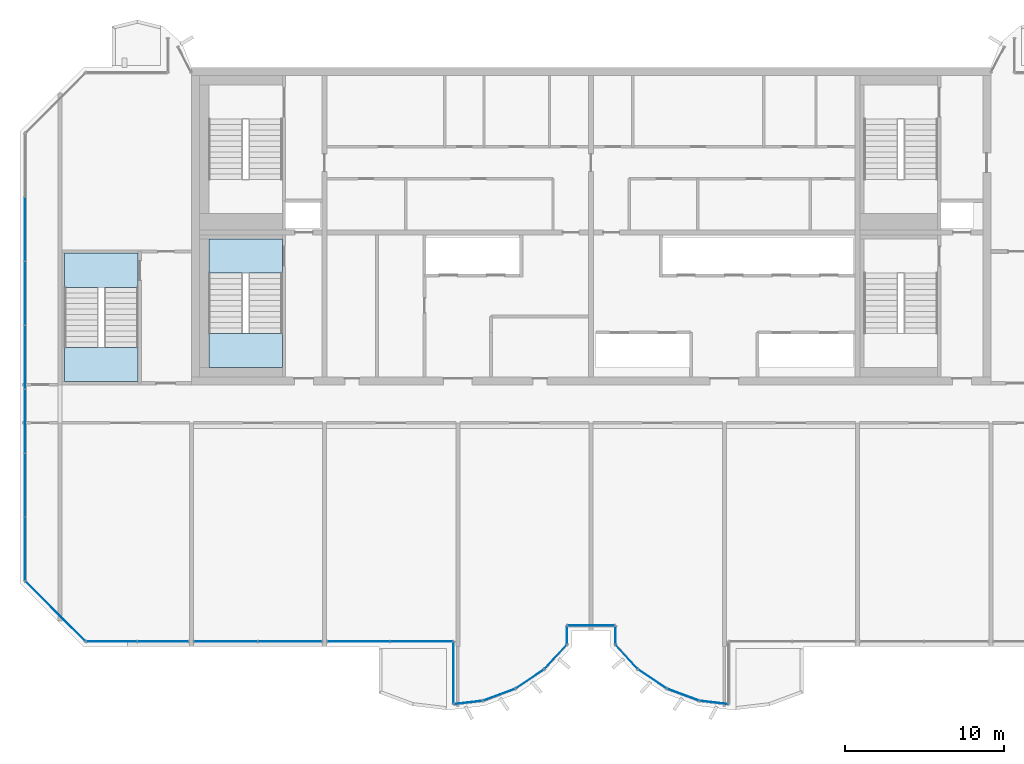
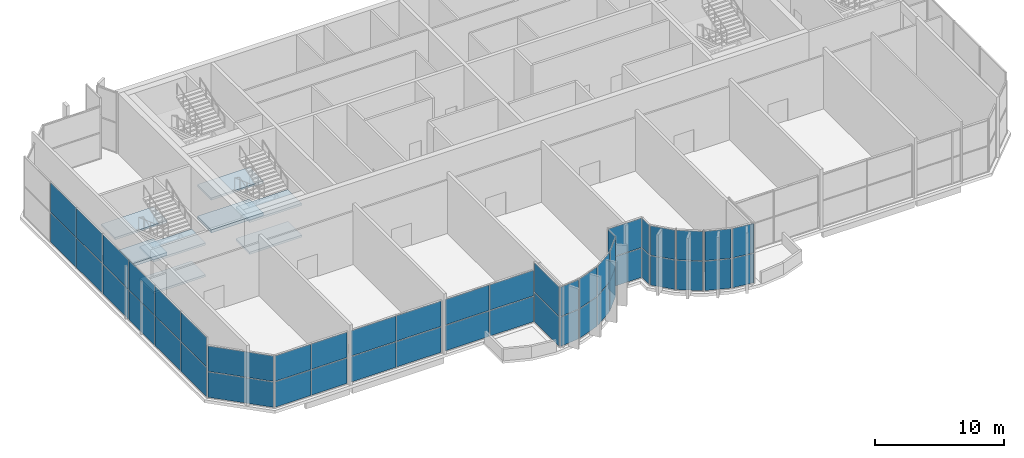
# One storey, part 10 of 17: 50 plates, 8 slabs, 19 elements without a shape of their own.
"""IFC4 building model written with IfcOpenShell, lengths in metres."""

from ifc_helpers import new_model, si_unit, direction, frame, origin, origin_2d, place, context, subcontext, project, spatial, polyline, rectangle, outline, extrude, source, transform, mapped, material, layer, layer_set, type_object, element, aggregate, save


model = new_model("IFC4")

# Units and contexts
model_context = context("Model", 3, precision=1e-05, world=origin(), true_north=direction((0.0, 1.0)))
body_context = subcontext(model_context, "Body", "Model", "MODEL_VIEW")
ifc_project = project(units=[si_unit("LENGTHUNIT", "METRE"), si_unit("AREAUNIT", "SQUARE_METRE"), si_unit("VOLUMEUNIT", "CUBIC_METRE"), si_unit("PLANEANGLEUNIT", "RADIAN"), si_unit("MASSUNIT", "GRAM", prefix="KILO")], contexts=[model_context])

# Site, building, storey
site_placement = place(None, origin())
site = spatial("IfcSite", under=ifc_project, at=site_placement, CompositionType="ELEMENT")
building_placement = place(site_placement, origin())
building = spatial("IfcBuilding", under=site, at=building_placement, Name="Vanashikhar Sky Hotel", CompositionType="ELEMENT")
storey_placement = place(building_placement, frame((0.0, 0.0, 323.699951171875)))
storey = spatial("IfcBuildingStorey", under=building, at=storey_placement, Name="L77", CompositionType="ELEMENT", Elevation=323.699951171875)

# Curtain wall, plates
ifc_material_1 = material(Name="Glass", Category="glass")
curtain_wall_type = type_object("IfcCurtainWallType", Name="Sky restaurant glazing", PredefinedType="NOTDEFINED", material=ifc_material_1)
curtain_wall_1_placement = place(storey_placement, origin())
curtain_wall_1 = element("IfcCurtainWall", 1, at=curtain_wall_1_placement, inside=storey, type_object=curtain_wall_type, Name="Sky restaurant glazing", PredefinedType="NOTDEFINED")
ifc_layer_1 = layer(ifc_material_1, 0.028076171875)
ifc_layer_set_1 = layer_set([ifc_layer_1], Name="Sky restaurant glazing panel")
plate_type = type_object("IfcPlateType", Name="Sky restaurant glazing panel", PredefinedType="CURTAIN_PANEL", material=ifc_layer_set_1)
shared_shape_1 = source(origin(), body_context, "Body", "SweptSolid", [
    extrude(rectangle(XDim=3.18017578125, YDim=0.028076171875, at=origin_2d()), origin(), (0.0, 0.0, 1.0), 2.39501953125),
])
plate_1_placement = place(storey_placement, frame((20.184814453125, 5.824951171875, 0.06005859375), z_axis=(0.0, 0.0, 1.0), x_axis=(1.0, 0.0, 0.0)))
plate_1 = element("IfcPlate", 2, at=plate_1_placement, type_object=plate_type, Name="CW-5 panel 1.1", PredefinedType="CURTAIN_PANEL", context=body_context, shape_type="MappedRepresentation", body=[
    mapped(shared_shape_1, transform((0.0, 0.0, 0.0), scale=1.0)),
])
plate_2_placement = place(storey_placement, frame((20.184814453125, 5.824951171875, 2.51513671875), z_axis=(0.0, 0.0, 1.0), x_axis=(1.0, 0.0, 0.0)))
plate_2 = element("IfcPlate", 3, at=plate_2_placement, type_object=plate_type, Name="CW-5 panel 1.2", PredefinedType="CURTAIN_PANEL", context=body_context, shape_type="MappedRepresentation", body=[
    mapped(shared_shape_1, transform((0.0, 0.0, 0.0), scale=1.0)),
])
plate_3_placement = place(storey_placement, frame((23.4248046875, 5.824951171875, 0.06005859375), z_axis=(0.0, 0.0, 1.0), x_axis=(1.0, 0.0, 0.0)))
plate_3 = element("IfcPlate", 4, at=plate_3_placement, type_object=plate_type, Name="CW-5 panel 2.1", PredefinedType="CURTAIN_PANEL", context=body_context, shape_type="MappedRepresentation", body=[
    mapped(shared_shape_1, transform((0.0, 0.0, 0.0), scale=1.0)),
])
plate_4_placement = place(storey_placement, frame((23.4248046875, 5.824951171875, 2.51513671875), z_axis=(0.0, 0.0, 1.0), x_axis=(1.0, 0.0, 0.0)))
plate_4 = element("IfcPlate", 5, at=plate_4_placement, type_object=plate_type, Name="CW-5 panel 2.2", PredefinedType="CURTAIN_PANEL", context=body_context, shape_type="MappedRepresentation", body=[
    mapped(shared_shape_1, transform((0.0, 0.0, 0.0), scale=1.0)),
])
aggregate(curtain_wall_1, [plate_1, plate_2, plate_3, plate_4])

curtain_wall_2_placement = place(storey_placement, origin())
curtain_wall_2 = element("IfcCurtainWall", 6, at=curtain_wall_2_placement, inside=storey, type_object=curtain_wall_type, Name="Sky restaurant glazing", PredefinedType="NOTDEFINED")
shared_shape_2 = source(origin(), body_context, "Body", "SweptSolid", [
    extrude(rectangle(XDim=3.985107421875, YDim=0.028076171875, at=origin_2d()), origin(), (0.0, 0.0, 1.0), 2.39501953125),
])
plate_5_placement = place(storey_placement, frame((27.37744140625, 5.824951171875, 0.06005859375), z_axis=(0.0, 0.0, 1.0), x_axis=(1.0, 0.0, 0.0)))
plate_5 = element("IfcPlate", 7, at=plate_5_placement, type_object=plate_type, Name="CW-5 panel 1.1", PredefinedType="CURTAIN_PANEL", context=body_context, shape_type="MappedRepresentation", body=[
    mapped(shared_shape_2, transform((0.0, 0.0, 0.0), scale=1.0)),
])
plate_6_placement = place(storey_placement, frame((27.37744140625, 5.824951171875, 2.51513671875), z_axis=(0.0, 0.0, 1.0), x_axis=(1.0, 0.0, 0.0)))
plate_6 = element("IfcPlate", 8, at=plate_6_placement, type_object=plate_type, Name="CW-5 panel 1.2", PredefinedType="CURTAIN_PANEL", context=body_context, shape_type="MappedRepresentation", body=[
    mapped(shared_shape_2, transform((0.0, 0.0, 0.0), scale=1.0)),
])
plate_7_placement = place(storey_placement, frame((31.422607421875, 5.824951171875, 0.06005859375), z_axis=(0.0, 0.0, 1.0), x_axis=(1.0, 0.0, 0.0)))
plate_7 = element("IfcPlate", 9, at=plate_7_placement, type_object=plate_type, Name="CW-5 panel 2.1", PredefinedType="CURTAIN_PANEL", context=body_context, shape_type="MappedRepresentation", body=[
    mapped(shared_shape_2, transform((0.0, 0.0, 0.0), scale=1.0)),
])
plate_8_placement = place(storey_placement, frame((31.422607421875, 5.824951171875, 2.51513671875), z_axis=(0.0, 0.0, 1.0), x_axis=(1.0, 0.0, 0.0)))
plate_8 = element("IfcPlate", 10, at=plate_8_placement, type_object=plate_type, Name="CW-5 panel 2.2", PredefinedType="CURTAIN_PANEL", context=body_context, shape_type="MappedRepresentation", body=[
    mapped(shared_shape_2, transform((0.0, 0.0, 0.0), scale=1.0)),
])
aggregate(curtain_wall_2, [plate_5, plate_6, plate_7, plate_8])

curtain_wall_3_placement = place(storey_placement, origin())
curtain_wall_3 = element("IfcCurtainWall", 11, at=curtain_wall_3_placement, inside=storey, type_object=curtain_wall_type, Name="Sky restaurant glazing", PredefinedType="NOTDEFINED")
shared_shape_3 = source(origin(), body_context, "Body", "SweptSolid", [
    extrude(rectangle(XDim=3.909912109375, YDim=0.028076171875, at=origin_2d()), origin(), (0.0, 0.0, 1.0), 2.39501953125),
])
plate_9_placement = place(storey_placement, frame((35.739990234375, 5.824951171875, 0.06005859375), z_axis=(0.0, 0.0, 1.0), x_axis=(1.0, 0.0, 0.0)))
plate_9 = element("IfcPlate", 12, at=plate_9_placement, type_object=plate_type, Name="CW-5 panel 1.1", PredefinedType="CURTAIN_PANEL", context=body_context, shape_type="MappedRepresentation", body=[
    mapped(shared_shape_3, transform((0.0, 0.0, 0.0), scale=1.0)),
])
plate_10_placement = place(storey_placement, frame((35.739990234375, 5.824951171875, 2.51513671875), z_axis=(0.0, 0.0, 1.0), x_axis=(1.0, 0.0, 0.0)))
plate_10 = element("IfcPlate", 13, at=plate_10_placement, type_object=plate_type, Name="CW-5 panel 1.2", PredefinedType="CURTAIN_PANEL", context=body_context, shape_type="MappedRepresentation", body=[
    mapped(shared_shape_3, transform((0.0, 0.0, 0.0), scale=1.0)),
])
plate_11_placement = place(storey_placement, frame((39.7099609375, 5.824951171875, 0.06005859375), z_axis=(0.0, 0.0, 1.0), x_axis=(1.0, 0.0, 0.0)))
plate_11 = element("IfcPlate", 14, at=plate_11_placement, type_object=plate_type, Name="CW-5 panel 2.1", PredefinedType="CURTAIN_PANEL", context=body_context, shape_type="MappedRepresentation", body=[
    mapped(shared_shape_3, transform((0.0, 0.0, 0.0), scale=1.0)),
])
plate_12_placement = place(storey_placement, frame((39.7099609375, 5.824951171875, 2.51513671875), z_axis=(0.0, 0.0, 1.0), x_axis=(1.0, 0.0, 0.0)))
plate_12 = element("IfcPlate", 15, at=plate_12_placement, type_object=plate_type, Name="CW-5 panel 2.2", PredefinedType="CURTAIN_PANEL", context=body_context, shape_type="MappedRepresentation", body=[
    mapped(shared_shape_3, transform((0.0, 0.0, 0.0), scale=1.0)),
])
aggregate(curtain_wall_3, [plate_9, plate_10, plate_11, plate_12])

curtain_wall_4_placement = place(storey_placement, origin())
curtain_wall_4 = element("IfcCurtainWall", 16, at=curtain_wall_4_placement, inside=storey, type_object=curtain_wall_type, Name="Sky restaurant glazing", PredefinedType="NOTDEFINED")
shared_shape_4 = source(origin(), body_context, "Body", "SweptSolid", [
    extrude(rectangle(XDim=3.839111328125, YDim=0.028076171875, at=origin_2d()), origin(), (0.0, 0.0, 1.0), 2.77001953125),
])
plate_13_placement = place(storey_placement, frame((41.72509765625, 3.845458984375, 0.06005859375), z_axis=(0.0, 0.0, 1.0), x_axis=(0.0, -1.0, 0.0)))
plate_13 = element("IfcPlate", 17, at=plate_13_placement, type_object=plate_type, Name="CW-5 panel 1.1", PredefinedType="CURTAIN_PANEL", context=body_context, shape_type="MappedRepresentation", body=[
    mapped(shared_shape_4, transform((0.0, 0.0, 0.0), scale=1.0)),
])
plate_14_placement = place(storey_placement, frame((41.72509765625, 3.845458984375, 2.89013671875), z_axis=(0.0, 0.0, 1.0), x_axis=(0.0, -1.0, 0.0)))
plate_14 = element("IfcPlate", 18, at=plate_14_placement, type_object=plate_type, Name="CW-5 panel 1.2", PredefinedType="CURTAIN_PANEL", context=body_context, shape_type="MappedRepresentation", body=[
    mapped(shared_shape_4, transform((0.0, 0.0, 0.0), scale=1.0)),
])
aggregate(curtain_wall_4, [plate_13, plate_14])

curtain_wall_5_placement = place(storey_placement, origin())
curtain_wall_5 = element("IfcCurtainWall", 19, at=curtain_wall_5_placement, inside=storey, type_object=curtain_wall_type, Name="Sky restaurant glazing", PredefinedType="NOTDEFINED")
shared_shape_5 = source(origin(), body_context, "Body", "SweptSolid", [
    extrude(rectangle(XDim=1.745361328125, YDim=0.028076171875, at=origin_2d()), origin(), (0.0, 0.0, 1.0), 2.77001953125),
])
plate_15_placement = place(storey_placement, frame((42.651123046875, 1.97607421875, 0.06005859375), z_axis=(0.0, 0.0, 1.0), x_axis=(0.993000854942, 0.11810716356, 0.0)))
plate_15 = element("IfcPlate", 20, at=plate_15_placement, type_object=plate_type, Name="CW-5 panel 1.1", PredefinedType="CURTAIN_PANEL", context=body_context, shape_type="MappedRepresentation", body=[
    mapped(shared_shape_5, transform((0.0, 0.0, 0.0), scale=1.0)),
])
plate_16_placement = place(storey_placement, frame((42.651123046875, 1.97607421875, 2.89013671875), z_axis=(0.0, 0.0, 1.0), x_axis=(0.993000854942, 0.11810716356, 0.0)))
plate_16 = element("IfcPlate", 21, at=plate_16_placement, type_object=plate_type, Name="CW-5 panel 1.2", PredefinedType="CURTAIN_PANEL", context=body_context, shape_type="MappedRepresentation", body=[
    mapped(shared_shape_5, transform((0.0, 0.0, 0.0), scale=1.0)),
])
aggregate(curtain_wall_5, [plate_15, plate_16])

curtain_wall_6_placement = place(storey_placement, origin())
curtain_wall_6 = element("IfcCurtainWall", 22, at=curtain_wall_6_placement, inside=storey, type_object=curtain_wall_type, Name="Sky restaurant glazing", PredefinedType="NOTDEFINED")
plate_17_placement = place(storey_placement, frame((58.14892578125, 1.97607421875, 0.06005859375), z_axis=(0.0, 0.0, 1.0), x_axis=(0.993000854942, -0.11810716356, 0.0)))
plate_17 = element("IfcPlate", 23, at=plate_17_placement, type_object=plate_type, Name="CW-5 panel 1.1", PredefinedType="CURTAIN_PANEL", context=body_context, shape_type="MappedRepresentation", body=[
    mapped(shared_shape_5, transform((0.0, 0.0, 0.0), scale=1.0)),
])
plate_18_placement = place(storey_placement, frame((58.14892578125, 1.97607421875, 2.89013671875), z_axis=(0.0, 0.0, 1.0), x_axis=(0.993000854942, -0.11810716356, 0.0)))
plate_18 = element("IfcPlate", 24, at=plate_18_placement, type_object=plate_type, Name="CW-5 panel 1.2", PredefinedType="CURTAIN_PANEL", context=body_context, shape_type="MappedRepresentation", body=[
    mapped(shared_shape_5, transform((0.0, 0.0, 0.0), scale=1.0)),
])
aggregate(curtain_wall_6, [plate_17, plate_18])

curtain_wall_7_placement = place(storey_placement, origin())
curtain_wall_7 = element("IfcCurtainWall", 25, at=curtain_wall_7_placement, inside=storey, type_object=curtain_wall_type, Name="Sky restaurant glazing", PredefinedType="NOTDEFINED")
shared_shape_6 = source(origin(), body_context, "Body", "SweptSolid", [
    extrude(rectangle(XDim=2.073486328125, YDim=0.028076171875, at=origin_2d()), origin(), (0.0, 0.0, 1.0), 2.77001953125),
])
plate_19_placement = place(storey_placement, frame((44.60546875, 2.4677734375, 0.06005859375), z_axis=(0.0, 0.0, 1.0), x_axis=(0.937545115075, 0.347863704919, 0.0)))
plate_19 = element("IfcPlate", 26, at=plate_19_placement, type_object=plate_type, Name="CW-5 panel 1.1", PredefinedType="CURTAIN_PANEL", context=body_context, shape_type="MappedRepresentation", body=[
    mapped(shared_shape_6, transform((0.0, 0.0, 0.0), scale=1.0)),
])
plate_20_placement = place(storey_placement, frame((44.60546875, 2.4677734375, 2.89013671875), z_axis=(0.0, 0.0, 1.0), x_axis=(0.937545115075, 0.347863704919, 0.0)))
plate_20 = element("IfcPlate", 27, at=plate_20_placement, type_object=plate_type, Name="CW-5 panel 1.2", PredefinedType="CURTAIN_PANEL", context=body_context, shape_type="MappedRepresentation", body=[
    mapped(shared_shape_6, transform((0.0, 0.0, 0.0), scale=1.0)),
])
aggregate(curtain_wall_7, [plate_19, plate_20])

curtain_wall_8_placement = place(storey_placement, origin())
curtain_wall_8 = element("IfcCurtainWall", 28, at=curtain_wall_8_placement, inside=storey, type_object=curtain_wall_type, Name="Sky restaurant glazing", PredefinedType="NOTDEFINED")
plate_21_placement = place(storey_placement, frame((46.54345703125, 3.461669921875, 0.06005859375), z_axis=(0.0, 0.0, 1.0), x_axis=(0.829601554728, 0.558355854624, 0.0)))
plate_21 = element("IfcPlate", 29, at=plate_21_placement, type_object=plate_type, Name="CW-5 panel 1.1", PredefinedType="CURTAIN_PANEL", context=body_context, shape_type="MappedRepresentation", body=[
    mapped(shared_shape_6, transform((0.0, 0.0, 0.0), scale=1.0)),
])
plate_22_placement = place(storey_placement, frame((46.54345703125, 3.461669921875, 2.89013671875), z_axis=(0.0, 0.0, 1.0), x_axis=(0.829601554728, 0.558355854624, 0.0)))
plate_22 = element("IfcPlate", 30, at=plate_22_placement, type_object=plate_type, Name="CW-5 panel 1.2", PredefinedType="CURTAIN_PANEL", context=body_context, shape_type="MappedRepresentation", body=[
    mapped(shared_shape_6, transform((0.0, 0.0, 0.0), scale=1.0)),
])
aggregate(curtain_wall_8, [plate_21, plate_22])

curtain_wall_9_placement = place(storey_placement, origin())
curtain_wall_9 = element("IfcCurtainWall", 31, at=curtain_wall_9_placement, inside=storey, type_object=curtain_wall_type, Name="Sky restaurant glazing", PredefinedType="NOTDEFINED")
plate_23_placement = place(storey_placement, frame((54.256591796875, 3.461669921875, 0.06005859375), z_axis=(0.0, 0.0, 1.0), x_axis=(0.829601554728, -0.558355854624, 0.0)))
plate_23 = element("IfcPlate", 32, at=plate_23_placement, type_object=plate_type, Name="CW-5 panel 1.1", PredefinedType="CURTAIN_PANEL", context=body_context, shape_type="MappedRepresentation", body=[
    mapped(shared_shape_6, transform((0.0, 0.0, 0.0), scale=1.0)),
])
plate_24_placement = place(storey_placement, frame((54.256591796875, 3.461669921875, 2.89013671875), z_axis=(0.0, 0.0, 1.0), x_axis=(0.829601554728, -0.558355854624, 0.0)))
plate_24 = element("IfcPlate", 33, at=plate_24_placement, type_object=plate_type, Name="CW-5 panel 1.2", PredefinedType="CURTAIN_PANEL", context=body_context, shape_type="MappedRepresentation", body=[
    mapped(shared_shape_6, transform((0.0, 0.0, 0.0), scale=1.0)),
])
aggregate(curtain_wall_9, [plate_23, plate_24])

curtain_wall_10_placement = place(storey_placement, origin())
curtain_wall_10 = element("IfcCurtainWall", 34, at=curtain_wall_10_placement, inside=storey, type_object=curtain_wall_type, Name="Sky restaurant glazing", PredefinedType="NOTDEFINED")
plate_25_placement = place(storey_placement, frame((56.194580078125, 2.4677734375, 0.06005859375), z_axis=(0.0, 0.0, 1.0), x_axis=(0.937545115075, -0.347863704919, 0.0)))
plate_25 = element("IfcPlate", 35, at=plate_25_placement, type_object=plate_type, Name="CW-5 panel 1.1", PredefinedType="CURTAIN_PANEL", context=body_context, shape_type="MappedRepresentation", body=[
    mapped(shared_shape_6, transform((0.0, 0.0, 0.0), scale=1.0)),
])
plate_26_placement = place(storey_placement, frame((56.194580078125, 2.4677734375, 2.89013671875), z_axis=(0.0, 0.0, 1.0), x_axis=(0.937545115075, -0.347863704919, 0.0)))
plate_26 = element("IfcPlate", 36, at=plate_26_placement, type_object=plate_type, Name="CW-5 panel 1.2", PredefinedType="CURTAIN_PANEL", context=body_context, shape_type="MappedRepresentation", body=[
    mapped(shared_shape_6, transform((0.0, 0.0, 0.0), scale=1.0)),
])
aggregate(curtain_wall_10, [plate_25, plate_26])

curtain_wall_11_placement = place(storey_placement, origin())
curtain_wall_11 = element("IfcCurtainWall", 37, at=curtain_wall_11_placement, inside=storey, type_object=curtain_wall_type, Name="Sky restaurant glazing", PredefinedType="NOTDEFINED")
shared_shape_7 = source(origin(), body_context, "Body", "SweptSolid", [
    extrude(rectangle(XDim=1.98486328125, YDim=0.028076171875, at=origin_2d()), origin(), (0.0, 0.0, 1.0), 2.77001953125),
])
plate_27_placement = place(storey_placement, frame((48.164306640625, 4.85009765625, 0.06005859375), z_axis=(0.0, 0.0, 1.0), x_axis=(0.675378191427, 0.737471557787, 0.0)))
plate_27 = element("IfcPlate", 38, at=plate_27_placement, type_object=plate_type, Name="CW-5 panel 1.1", PredefinedType="CURTAIN_PANEL", context=body_context, shape_type="MappedRepresentation", body=[
    mapped(shared_shape_7, transform((0.0, 0.0, 0.0), scale=1.0)),
])
plate_28_placement = place(storey_placement, frame((48.164306640625, 4.85009765625, 2.89013671875), z_axis=(0.0, 0.0, 1.0), x_axis=(0.675378191427, 0.737471557787, 0.0)))
plate_28 = element("IfcPlate", 39, at=plate_28_placement, type_object=plate_type, Name="CW-5 panel 1.2", PredefinedType="CURTAIN_PANEL", context=body_context, shape_type="MappedRepresentation", body=[
    mapped(shared_shape_7, transform((0.0, 0.0, 0.0), scale=1.0)),
])
aggregate(curtain_wall_11, [plate_27, plate_28])

curtain_wall_12_placement = place(storey_placement, origin())
curtain_wall_12 = element("IfcCurtainWall", 40, at=curtain_wall_12_placement, inside=storey, type_object=curtain_wall_type, Name="Sky restaurant glazing", PredefinedType="NOTDEFINED")
plate_29_placement = place(storey_placement, frame((52.6357421875, 4.85009765625, 0.06005859375), z_axis=(0.0, 0.0, 1.0), x_axis=(0.675378191427, -0.737471557787, 0.0)))
plate_29 = element("IfcPlate", 41, at=plate_29_placement, type_object=plate_type, Name="CW-5 panel 1.1", PredefinedType="CURTAIN_PANEL", context=body_context, shape_type="MappedRepresentation", body=[
    mapped(shared_shape_7, transform((0.0, 0.0, 0.0), scale=1.0)),
])
plate_30_placement = place(storey_placement, frame((52.6357421875, 4.85009765625, 2.89013671875), z_axis=(0.0, 0.0, 1.0), x_axis=(0.675378191427, -0.737471557787, 0.0)))
plate_30 = element("IfcPlate", 42, at=plate_30_placement, type_object=plate_type, Name="CW-5 panel 1.2", PredefinedType="CURTAIN_PANEL", context=body_context, shape_type="MappedRepresentation", body=[
    mapped(shared_shape_7, transform((0.0, 0.0, 0.0), scale=1.0)),
])
aggregate(curtain_wall_12, [plate_29, plate_30])

curtain_wall_13_placement = place(storey_placement, origin())
curtain_wall_13 = element("IfcCurtainWall", 43, at=curtain_wall_13_placement, inside=storey, type_object=curtain_wall_type, Name="Sky restaurant glazing", PredefinedType="NOTDEFINED")
shared_shape_8 = source(origin(), body_context, "Body", "SweptSolid", [
    extrude(rectangle(XDim=1.07861328125, YDim=0.028076171875, at=origin_2d()), origin(), (0.0, 0.0, 1.0), 2.77001953125),
])
plate_31_placement = place(storey_placement, frame((48.875, 6.2255859375, 0.06005859375), z_axis=(0.0, 0.0, 1.0), x_axis=(0.0, 1.0, 0.0)))
plate_31 = element("IfcPlate", 44, at=plate_31_placement, type_object=plate_type, Name="CW-5 panel 1.1", PredefinedType="CURTAIN_PANEL", context=body_context, shape_type="MappedRepresentation", body=[
    mapped(shared_shape_8, transform((0.0, 0.0, 0.0), scale=1.0)),
])
plate_32_placement = place(storey_placement, frame((48.875, 6.2255859375, 2.89013671875), z_axis=(0.0, 0.0, 1.0), x_axis=(0.0, 1.0, 0.0)))
plate_32 = element("IfcPlate", 45, at=plate_32_placement, type_object=plate_type, Name="CW-5 panel 1.2", PredefinedType="CURTAIN_PANEL", context=body_context, shape_type="MappedRepresentation", body=[
    mapped(shared_shape_8, transform((0.0, 0.0, 0.0), scale=1.0)),
])
aggregate(curtain_wall_13, [plate_31, plate_32])

curtain_wall_14_placement = place(storey_placement, origin())
curtain_wall_14 = element("IfcCurtainWall", 46, at=curtain_wall_14_placement, inside=storey, type_object=curtain_wall_type, Name="Sky restaurant glazing", PredefinedType="NOTDEFINED")
plate_33_placement = place(storey_placement, frame((51.925048828125, 6.2255859375, 0.06005859375), z_axis=(0.0, 0.0, 1.0), x_axis=(0.0, -1.0, 0.0)))
plate_33 = element("IfcPlate", 47, at=plate_33_placement, type_object=plate_type, Name="CW-5 panel 1.1", PredefinedType="CURTAIN_PANEL", context=body_context, shape_type="MappedRepresentation", body=[
    mapped(shared_shape_8, transform((0.0, 0.0, 0.0), scale=1.0)),
])
plate_34_placement = place(storey_placement, frame((51.925048828125, 6.2255859375, 2.89013671875), z_axis=(0.0, 0.0, 1.0), x_axis=(0.0, -1.0, 0.0)))
plate_34 = element("IfcPlate", 48, at=plate_34_placement, type_object=plate_type, Name="CW-5 panel 1.2", PredefinedType="CURTAIN_PANEL", context=body_context, shape_type="MappedRepresentation", body=[
    mapped(shared_shape_8, transform((0.0, 0.0, 0.0), scale=1.0)),
])
aggregate(curtain_wall_14, [plate_33, plate_34])

curtain_wall_15_placement = place(storey_placement, origin())
curtain_wall_15 = element("IfcCurtainWall", 49, at=curtain_wall_15_placement, inside=storey, type_object=curtain_wall_type, Name="Sky restaurant glazing", PredefinedType="NOTDEFINED")
shared_shape_9 = source(origin(), body_context, "Body", "SweptSolid", [
    extrude(rectangle(XDim=2.929931640625, YDim=0.028076171875, at=origin_2d()), origin(), (0.0, 0.0, 1.0), 2.77001953125),
])
plate_35_placement = place(storey_placement, frame((50.39990234375, 6.824951171875, 0.06005859375), z_axis=(0.0, 0.0, 1.0), x_axis=(1.0, 0.0, 0.0)))
plate_35 = element("IfcPlate", 50, at=plate_35_placement, type_object=plate_type, Name="CW-5 panel 1.1", PredefinedType="CURTAIN_PANEL", context=body_context, shape_type="MappedRepresentation", body=[
    mapped(shared_shape_9, transform((0.0, 0.0, 0.0), scale=1.0)),
])
plate_36_placement = place(storey_placement, frame((50.39990234375, 6.824951171875, 2.89013671875), z_axis=(0.0, 0.0, 1.0), x_axis=(1.0, 0.0, 0.0)))
plate_36 = element("IfcPlate", 51, at=plate_36_placement, type_object=plate_type, Name="CW-5 panel 1.2", PredefinedType="CURTAIN_PANEL", context=body_context, shape_type="MappedRepresentation", body=[
    mapped(shared_shape_9, transform((0.0, 0.0, 0.0), scale=1.0)),
])
aggregate(curtain_wall_15, [plate_35, plate_36])

curtain_wall_16_placement = place(storey_placement, origin())
curtain_wall_16 = element("IfcCurtainWall", 52, at=curtain_wall_16_placement, inside=storey, type_object=curtain_wall_type, Name="Sky restaurant glazing", PredefinedType="NOTDEFINED")
shared_shape_10 = source(origin(), body_context, "Body", "SweptSolid", [
    extrude(rectangle(XDim=5.267578125, YDim=0.028076171875, at=origin_2d()), origin(), (0.0, 0.0, 1.0), 2.39501953125),
])
plate_37_placement = place(storey_placement, frame((16.6298828125, 7.729736328125, 0.06005859375), z_axis=(0.0, 0.0, 1.0), x_axis=(0.707106781187, -0.707106781187, 0.0)))
plate_37 = element("IfcPlate", 53, at=plate_37_placement, type_object=plate_type, Name="CW-5 panel 1.1", PredefinedType="CURTAIN_PANEL", context=body_context, shape_type="MappedRepresentation", body=[
    mapped(shared_shape_10, transform((0.0, 0.0, 0.0), scale=1.0)),
])
plate_38_placement = place(storey_placement, frame((16.6298828125, 7.729736328125, 2.51513671875), z_axis=(0.0, 0.0, 1.0), x_axis=(0.707106781187, -0.707106781187, 0.0)))
plate_38 = element("IfcPlate", 54, at=plate_38_placement, type_object=plate_type, Name="CW-5 panel 1.2", PredefinedType="CURTAIN_PANEL", context=body_context, shape_type="MappedRepresentation", body=[
    mapped(shared_shape_10, transform((0.0, 0.0, 0.0), scale=1.0)),
])
aggregate(curtain_wall_16, [plate_37, plate_38])

curtain_wall_17_placement = place(storey_placement, origin())
curtain_wall_17 = element("IfcCurtainWall", 55, at=curtain_wall_17_placement, inside=storey, type_object=curtain_wall_type, Name="Sky restaurant glazing", PredefinedType="NOTDEFINED")
shared_shape_11 = source(origin(), body_context, "Body", "SweptSolid", [
    extrude(rectangle(XDim=3.94287109375, YDim=0.028076171875, at=origin_2d()), origin(), (0.0, 0.0, 1.0), 2.77001953125),
])
plate_39_placement = place(storey_placement, frame((14.72509765625, 11.666015625, 0.06005859375), z_axis=(0.0, 0.0, 1.0), x_axis=(0.0, -1.0, 0.0)))
plate_39 = element("IfcPlate", 56, at=plate_39_placement, type_object=plate_type, Name="CW-5 panel 7.1", PredefinedType="CURTAIN_PANEL", context=body_context, shape_type="MappedRepresentation", body=[
    mapped(shared_shape_11, transform((0.0, 0.0, 0.0), scale=1.0)),
])
plate_40_placement = place(storey_placement, frame((14.72509765625, 11.666015625, 2.89013671875), z_axis=(0.0, 0.0, 1.0), x_axis=(0.0, -1.0, 0.0)))
plate_40 = element("IfcPlate", 57, at=plate_40_placement, type_object=plate_type, Name="CW-5 panel 7.2", PredefinedType="CURTAIN_PANEL", context=body_context, shape_type="MappedRepresentation", body=[
    mapped(shared_shape_11, transform((0.0, 0.0, 0.0), scale=1.0)),
])
shared_shape_12 = source(origin(), body_context, "Body", "SweptSolid", [
    extrude(rectangle(XDim=3.972900390625, YDim=0.028076171875, at=origin_2d()), origin(), (0.0, 0.0, 1.0), 2.77001953125),
])
plate_41_placement = place(storey_placement, frame((14.72509765625, 31.81591796875, 0.06005859375), z_axis=(0.0, 0.0, 1.0), x_axis=(0.0, -1.0, 0.0)))
plate_41 = element("IfcPlate", 58, at=plate_41_placement, type_object=plate_type, Name="CW-5 panel 2.1", PredefinedType="CURTAIN_PANEL", context=body_context, shape_type="MappedRepresentation", body=[
    mapped(shared_shape_12, transform((0.0, 0.0, 0.0), scale=1.0)),
])
plate_42_placement = place(storey_placement, frame((14.72509765625, 31.81591796875, 2.89013671875), z_axis=(0.0, 0.0, 1.0), x_axis=(0.0, -1.0, 0.0)))
plate_42 = element("IfcPlate", 59, at=plate_42_placement, type_object=plate_type, Name="CW-5 panel 2.2", PredefinedType="CURTAIN_PANEL", context=body_context, shape_type="MappedRepresentation", body=[
    mapped(shared_shape_12, transform((0.0, 0.0, 0.0), scale=1.0)),
])
plate_43_placement = place(storey_placement, frame((14.72509765625, 27.782958984375, 0.06005859375), z_axis=(0.0, 0.0, 1.0), x_axis=(0.0, -1.0, 0.0)))
plate_43 = element("IfcPlate", 60, at=plate_43_placement, type_object=plate_type, Name="CW-5 panel 3.1", PredefinedType="CURTAIN_PANEL", context=body_context, shape_type="MappedRepresentation", body=[
    mapped(shared_shape_12, transform((0.0, 0.0, 0.0), scale=1.0)),
])
plate_44_placement = place(storey_placement, frame((14.72509765625, 27.782958984375, 2.89013671875), z_axis=(0.0, 0.0, 1.0), x_axis=(0.0, -1.0, 0.0)))
plate_44 = element("IfcPlate", 61, at=plate_44_placement, type_object=plate_type, Name="CW-5 panel 3.2", PredefinedType="CURTAIN_PANEL", context=body_context, shape_type="MappedRepresentation", body=[
    mapped(shared_shape_12, transform((0.0, 0.0, 0.0), scale=1.0)),
])
plate_45_placement = place(storey_placement, frame((14.72509765625, 23.75, 0.06005859375), z_axis=(0.0, 0.0, 1.0), x_axis=(0.0, -1.0, 0.0)))
plate_45 = element("IfcPlate", 62, at=plate_45_placement, type_object=plate_type, Name="CW-5 panel 4.1", PredefinedType="CURTAIN_PANEL", context=body_context, shape_type="MappedRepresentation", body=[
    mapped(shared_shape_12, transform((0.0, 0.0, 0.0), scale=1.0)),
])
plate_46_placement = place(storey_placement, frame((14.72509765625, 23.75, 2.89013671875), z_axis=(0.0, 0.0, 1.0), x_axis=(0.0, -1.0, 0.0)))
plate_46 = element("IfcPlate", 63, at=plate_46_placement, type_object=plate_type, Name="CW-5 panel 4.2", PredefinedType="CURTAIN_PANEL", context=body_context, shape_type="MappedRepresentation", body=[
    mapped(shared_shape_12, transform((0.0, 0.0, 0.0), scale=1.0)),
])
plate_47_placement = place(storey_placement, frame((14.72509765625, 19.717041015625, 0.06005859375), z_axis=(0.0, 0.0, 1.0), x_axis=(0.0, -1.0, 0.0)))
plate_47 = element("IfcPlate", 64, at=plate_47_placement, type_object=plate_type, Name="CW-5 panel 5.1", PredefinedType="CURTAIN_PANEL", context=body_context, shape_type="MappedRepresentation", body=[
    mapped(shared_shape_12, transform((0.0, 0.0, 0.0), scale=1.0)),
])
plate_48_placement = place(storey_placement, frame((14.72509765625, 19.717041015625, 2.89013671875), z_axis=(0.0, 0.0, 1.0), x_axis=(0.0, -1.0, 0.0)))
plate_48 = element("IfcPlate", 65, at=plate_48_placement, type_object=plate_type, Name="CW-5 panel 5.2", PredefinedType="CURTAIN_PANEL", context=body_context, shape_type="MappedRepresentation", body=[
    mapped(shared_shape_12, transform((0.0, 0.0, 0.0), scale=1.0)),
])
plate_49_placement = place(storey_placement, frame((14.72509765625, 15.68408203125, 0.06005859375), z_axis=(0.0, 0.0, 1.0), x_axis=(0.0, -1.0, 0.0)))
plate_49 = element("IfcPlate", 66, at=plate_49_placement, type_object=plate_type, Name="CW-5 panel 6.1", PredefinedType="CURTAIN_PANEL", context=body_context, shape_type="MappedRepresentation", body=[
    mapped(shared_shape_12, transform((0.0, 0.0, 0.0), scale=1.0)),
])
plate_50_placement = place(storey_placement, frame((14.72509765625, 15.68408203125, 2.89013671875), z_axis=(0.0, 0.0, 1.0), x_axis=(0.0, -1.0, 0.0)))
plate_50 = element("IfcPlate", 67, at=plate_50_placement, type_object=plate_type, Name="CW-5 panel 6.2", PredefinedType="CURTAIN_PANEL", context=body_context, shape_type="MappedRepresentation", body=[
    mapped(shared_shape_12, transform((0.0, 0.0, 0.0), scale=1.0)),
])
aggregate(curtain_wall_17, [plate_41, plate_42, plate_43, plate_44, plate_45, plate_46, plate_47, plate_48, plate_49, plate_50, plate_39, plate_40])

# Stair, slabs
ifc_material_2 = material(Name="Concrete M40", Category="concrete")
stair_type = type_object("IfcStairType", Name="Exit stair 2150", PredefinedType="DOUBLE_RETURN_STAIR", material=ifc_material_2)
stair_1_placement = place(storey_placement, origin())
stair_1 = element("IfcStair", 68, at=stair_1_placement, inside=storey, type_object=stair_type, Name="L77 Exit stair 1", PredefinedType="DOUBLE_RETURN_STAIR")
ifc_layer_2 = layer(ifc_material_2, 0.199951171875)
ifc_layer_set_2 = layer_set([ifc_layer_2], Name="Stair landing 200")
slab_type_1 = type_object("IfcSlabType", Name="Stair landing 200", PredefinedType="LANDING", material=ifc_layer_set_2)
shared_shape_13 = source(origin(), body_context, "Body", "SweptSolid", [
    extrude(outline(polyline([(30.949951171875, 29.050048828125), (30.949951171875, 31.199951171875), (26.300048828125, 31.199951171875), (26.300048828125, 29.050048828125), (30.949951171875, 29.050048828125)])), origin(), (0.0, 0.0, 1.0), 0.199951171875),
])
slab_1_placement = place(storey_placement, frame((0.0, 0.0, 2.800048828125)))
slab_1 = element("IfcSlab", 69, at=slab_1_placement, type_object=slab_type_1, Name="ST-C1 landing 2", PredefinedType="LANDING", context=body_context, shape_type="MappedRepresentation", body=[
    mapped(shared_shape_13, transform((0.0, 0.0, 0.0), scale=1.0)),
])
shared_shape_14 = source(origin(), body_context, "Body", "SweptSolid", [
    extrude(outline(polyline([(30.949951171875, 23.10009765625), (30.949951171875, 25.25), (26.300048828125, 25.25), (26.300048828125, 23.10009765625), (30.949951171875, 23.10009765625)])), origin(), (0.0, 0.0, 1.0), 0.199951171875),
])
slab_2_placement = place(storey_placement, frame((0.0, 0.0, 1.300048828125)))
slab_2 = element("IfcSlab", 70, at=slab_2_placement, type_object=slab_type_1, Name="ST-C1 landing 1", PredefinedType="LANDING", context=body_context, shape_type="MappedRepresentation", body=[
    mapped(shared_shape_14, transform((0.0, 0.0, 0.0), scale=1.0)),
])
slab_3_placement = place(storey_placement, frame((0.0, 0.0, 4.300048828125)))
slab_3 = element("IfcSlab", 71, at=slab_3_placement, type_object=slab_type_1, Name="ST-C1 landing 3", PredefinedType="LANDING", context=body_context, shape_type="MappedRepresentation", body=[
    mapped(shared_shape_14, transform((0.0, 0.0, 0.0), scale=1.0)),
])
aggregate(stair_1, [slab_2, slab_1, slab_3])

# Slab
ifc_layer_3 = layer(ifc_material_2, 0.280029296875)
ifc_layer_set_3 = layer_set([ifc_layer_3], Name="Stair floor landing 280")
slab_type_2 = type_object("IfcSlabType", Name="Stair floor landing 280", PredefinedType="LANDING", material=ifc_layer_set_3)
shared_shape_15 = source(origin(), body_context, "Body", "SweptSolid", [
    extrude(outline(polyline([(30.949951171875, 29.050048828125), (30.949951171875, 31.199951171875), (26.300048828125, 31.199951171875), (26.300048828125, 29.050048828125), (30.949951171875, 29.050048828125)])), origin(), (0.0, 0.0, 1.0), 0.280029296875),
])
slab_4_placement = place(storey_placement, frame((0.0, 0.0, -0.280029296875)))
element("IfcSlab", 72, at=slab_4_placement, inside=storey, type_object=slab_type_2, Name="Exit stair 1 floor landing", PredefinedType="LANDING", context=body_context, shape_type="MappedRepresentation", body=[
    mapped(shared_shape_15, transform((0.0, 0.0, 0.0), scale=1.0)),
])

# Stair, slabs
stair_2_placement = place(storey_placement, origin())
stair_2 = element("IfcStair", 73, at=stair_2_placement, inside=storey, type_object=stair_type, Name="L77 Exit stair 3", PredefinedType="DOUBLE_RETURN_STAIR")
shared_shape_16 = source(origin(), body_context, "Body", "SweptSolid", [
    extrude(outline(polyline([(21.85009765625, 28.14990234375), (21.85009765625, 30.300048828125), (17.199951171875, 30.300048828125), (17.199951171875, 28.14990234375), (21.85009765625, 28.14990234375)])), origin(), (0.0, 0.0, 1.0), 0.199951171875),
])
slab_5_placement = place(storey_placement, frame((0.0, 0.0, 2.800048828125)))
slab_5 = element("IfcSlab", 74, at=slab_5_placement, type_object=slab_type_1, Name="ST-W landing 2", PredefinedType="LANDING", context=body_context, shape_type="MappedRepresentation", body=[
    mapped(shared_shape_16, transform((0.0, 0.0, 0.0), scale=1.0)),
])
shared_shape_17 = source(origin(), body_context, "Body", "SweptSolid", [
    extrude(outline(polyline([(21.85009765625, 22.199951171875), (21.85009765625, 24.35009765625), (17.199951171875, 24.35009765625), (17.199951171875, 22.199951171875), (21.85009765625, 22.199951171875)])), origin(), (0.0, 0.0, 1.0), 0.199951171875),
])
slab_6_placement = place(storey_placement, frame((0.0, 0.0, 1.300048828125)))
slab_6 = element("IfcSlab", 75, at=slab_6_placement, type_object=slab_type_1, Name="ST-W landing 1", PredefinedType="LANDING", context=body_context, shape_type="MappedRepresentation", body=[
    mapped(shared_shape_17, transform((0.0, 0.0, 0.0), scale=1.0)),
])
slab_7_placement = place(storey_placement, frame((0.0, 0.0, 4.300048828125)))
slab_7 = element("IfcSlab", 76, at=slab_7_placement, type_object=slab_type_1, Name="ST-W landing 3", PredefinedType="LANDING", context=body_context, shape_type="MappedRepresentation", body=[
    mapped(shared_shape_17, transform((0.0, 0.0, 0.0), scale=1.0)),
])
aggregate(stair_2, [slab_6, slab_5, slab_7])

# Slab
shared_shape_18 = source(origin(), body_context, "Body", "SweptSolid", [
    extrude(outline(polyline([(21.85009765625, 28.14990234375), (21.85009765625, 30.300048828125), (17.199951171875, 30.300048828125), (17.199951171875, 28.14990234375), (21.85009765625, 28.14990234375)])), origin(), (0.0, 0.0, 1.0), 0.280029296875),
])
slab_8_placement = place(storey_placement, frame((0.0, 0.0, -0.280029296875)))
element("IfcSlab", 77, at=slab_8_placement, inside=storey, type_object=slab_type_2, Name="Exit stair 3 floor landing", PredefinedType="LANDING", context=body_context, shape_type="MappedRepresentation", body=[
    mapped(shared_shape_18, transform((0.0, 0.0, 0.0), scale=1.0)),
])

save(model, "model.ifc")
